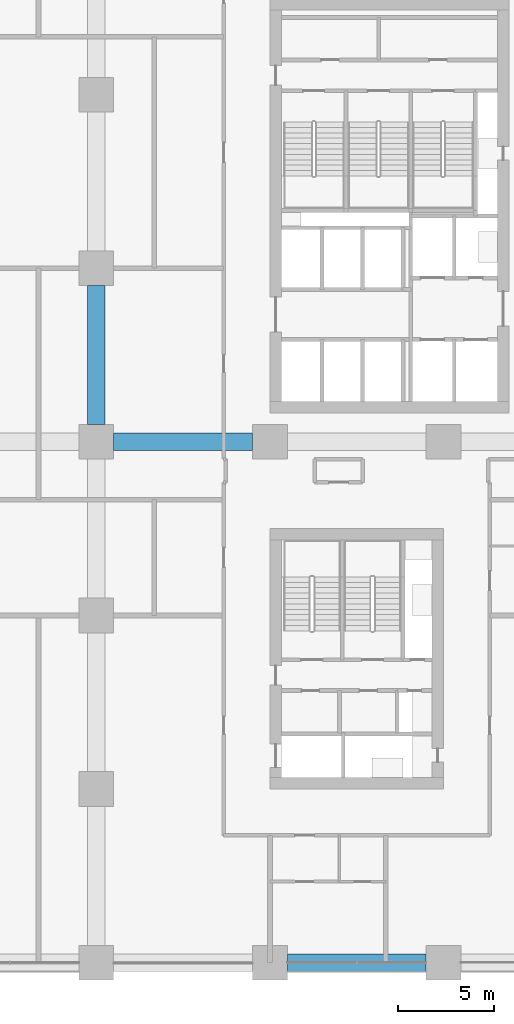
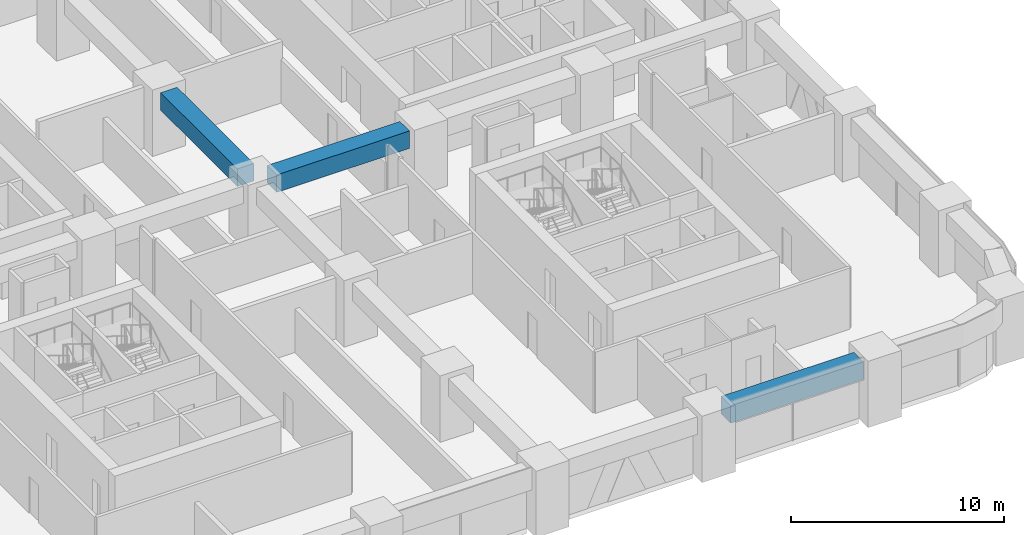
# One storey, part 5 of 21: 3 beams.
"""IFC4 building model written with IfcOpenShell, lengths in metres."""

from ifc_helpers import new_model, si_unit, direction, frame, origin, origin_2d, place, context, subcontext, project, spatial, rectangle, extrude, material, material_profile, profile_set, type_object, element, save


model = new_model("IFC4")

# Units and contexts
model_context = context("Model", 3, precision=1e-05, world=origin(), true_north=direction((0.0, 1.0)))
body_context = subcontext(model_context, "Body", "Model", "MODEL_VIEW")
ifc_project = project(units=[si_unit("LENGTHUNIT", "METRE"), si_unit("AREAUNIT", "SQUARE_METRE"), si_unit("VOLUMEUNIT", "CUBIC_METRE"), si_unit("PLANEANGLEUNIT", "RADIAN"), si_unit("MASSUNIT", "GRAM", prefix="KILO")], contexts=[model_context])

# Site, building, storey
site_placement = place(None, origin())
site = spatial("IfcSite", under=ifc_project, at=site_placement, CompositionType="ELEMENT")
building_placement = place(site_placement, origin())
building = spatial("IfcBuilding", under=site, at=building_placement, Name="Tessera Arch", CompositionType="ELEMENT")
storey_placement = place(building_placement, frame((0.0, 0.0, 65.199951171875)))
storey = spatial("IfcBuildingStorey", under=building, at=storey_placement, Name="L14", CompositionType="ELEMENT", Elevation=65.199951171875)

# Beams
ifc_material = material(Name="Concrete C80/95", Category="concrete")
ifc_material_profile = material_profile(ifc_material, rectangle(XDim=0.89990234375, YDim=1.0, at=origin_2d()), Name="RC spandrel beam 900 x 1000 Concrete C80/95")
ifc_profile_set = profile_set([ifc_material_profile], Name="Concrete C80/95")
beam_type = type_object("IfcBeamType", Name="RC spandrel beam 900 x 1000 Concrete C80/95", PredefinedType="BEAM", material=ifc_profile_set)
for number, where, z_axis, x_axis, name in (
    (1, (36.89990234375, 0.0, 3.0), (1.0, 0.0, 0.0), (0.0, 1.0, 0.0), "Spandrel beam L14 S0.0/3"),
    (2, (27.0, 27.89990234375, 3.0), (0.0, 1.0, 0.0), (-1.0, 0.0, 0.0), "Interface beam L14 I0C4D-C4E"),
    (3, (27.89990234375, 27.0, 3.0), (1.0, 0.0, 0.0), (0.0, 1.0, 0.0), "Interface beam L14 I1C4D-C5D"),
):
    element("IfcBeam", number, at=place(storey_placement, frame(where, z_axis=z_axis, x_axis=x_axis)), inside=storey, type_object=beam_type, Name=name, PredefinedType="BEAM", context=body_context, shape_type="SweptSolid", body=[
        extrude(rectangle(XDim=0.89990234375, YDim=1.0, at=origin_2d()), origin(), (0.0, 0.0, 1.0), 7.2001953125),
    ])

save(model, "model.ifc")
